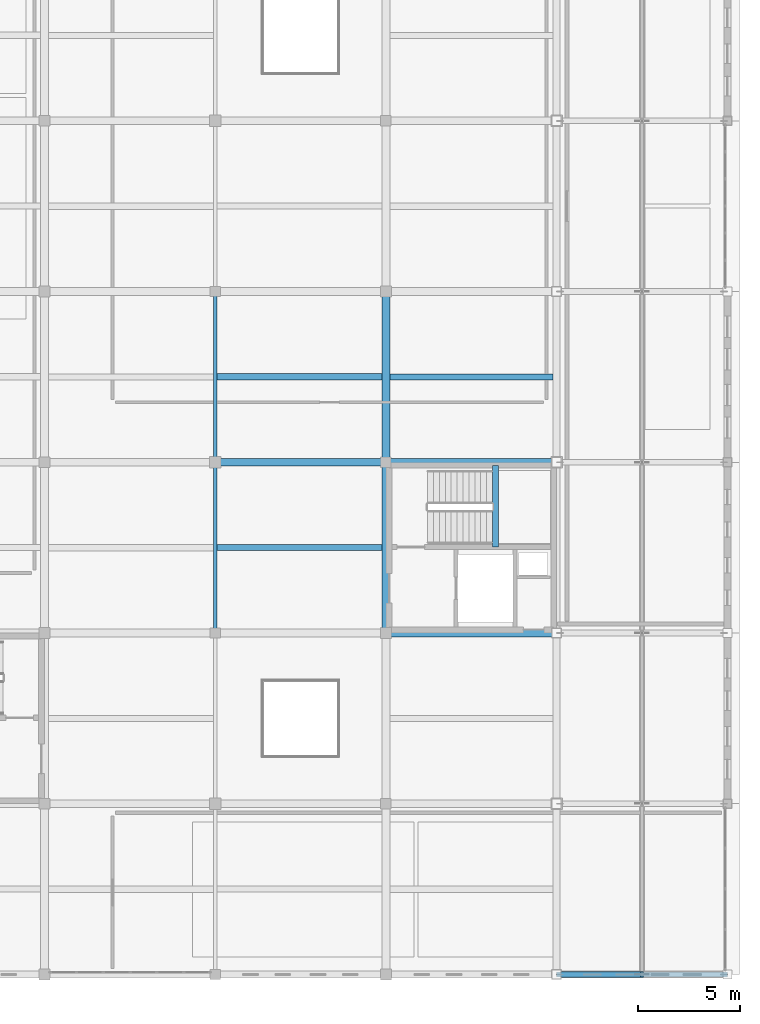
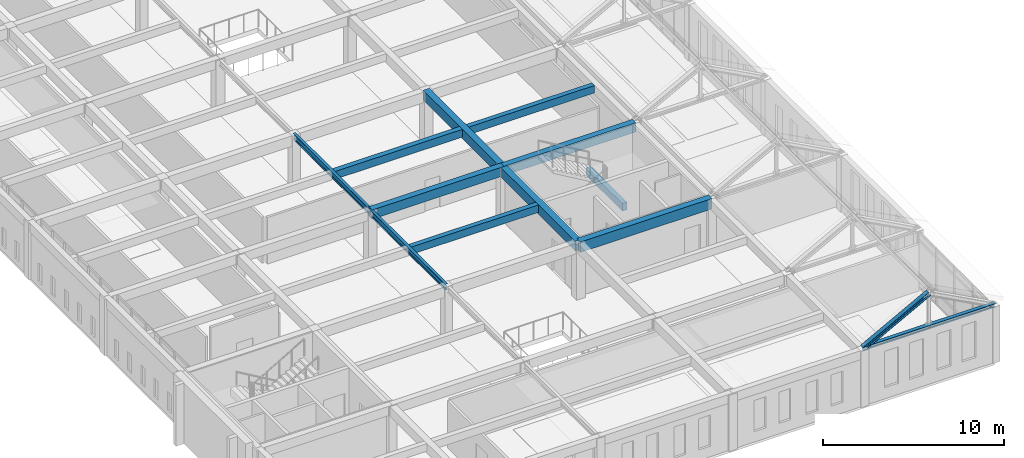
# One storey, part 5 of 36: 11 beams, 2 members.
"""IFC4 building model written with IfcOpenShell, lengths in metres."""

from ifc_helpers import new_model, si_unit, direction, frame, origin, origin_2d, place, context, subcontext, project, spatial, rectangle, i_section, extrude, material, material_profile, profile_set, type_object, element, save


model = new_model("IFC4")

# Units and contexts
model_context = context("Model", 3, precision=1e-05, world=origin(), true_north=direction((0.0, 1.0)))
body_context = subcontext(model_context, "Body", "Model", "MODEL_VIEW")
ifc_project = project(units=[si_unit("LENGTHUNIT", "METRE"), si_unit("AREAUNIT", "SQUARE_METRE"), si_unit("VOLUMEUNIT", "CUBIC_METRE"), si_unit("PLANEANGLEUNIT", "RADIAN"), si_unit("MASSUNIT", "GRAM", prefix="KILO")], contexts=[model_context])

# Site, building, storey
site_placement = place(None, origin())
site = spatial("IfcSite", under=ifc_project, at=site_placement, CompositionType="ELEMENT")
building_placement = place(site_placement, origin())
building = spatial("IfcBuilding", under=site, at=building_placement, Name="Kveldsbrygga Polytechnic", CompositionType="ELEMENT")
storey_placement = place(building_placement, frame((0.0, 0.0, 22.10009765625)))
storey = spatial("IfcBuildingStorey", under=building, at=storey_placement, Name="L05", CompositionType="ELEMENT", Elevation=22.10009765625)

# Beams
ifc_material_1 = material(Name="Concrete C35/45", Category="concrete")
ifc_material_profile_1 = material_profile(ifc_material_1, rectangle(XDim=0.3798828125, YDim=0.6201171875, at=origin_2d()), Name="RC 380x620")
ifc_profile_set_1 = profile_set([ifc_material_profile_1], Name="Concrete C35/45")
beam_type_1 = type_object("IfcBeamType", Name="BM-RC-380x620", PredefinedType="BEAM", material=ifc_profile_set_1)
beam_1_placement = place(storey_placement, frame((142.800048828125, 42.0, 3.469970703125), z_axis=(1.0, 0.0, 0.0), x_axis=(0.0, 1.0, 0.0)))
element("IfcBeam", 1, at=beam_1_placement, inside=storey, type_object=beam_type_1, Name="Primary Beam BMX-L05-17to18-05", PredefinedType="BEAM", context=body_context, shape_type="SweptSolid", body=[
    extrude(rectangle(XDim=0.3798828125, YDim=0.6201171875, at=origin_2d()), origin(), (0.0, 0.0, 1.0), 8.39990234375),
])
beam_2_placement = place(storey_placement, frame((151.199951171875, 42.0, 3.469970703125), z_axis=(1.0, 0.0, 0.0), x_axis=(0.0, 1.0, 0.0)))
element("IfcBeam", 2, at=beam_2_placement, inside=storey, type_object=beam_type_1, Name="Primary Beam BMX-L05-18to19-05", PredefinedType="BEAM", context=body_context, shape_type="SweptSolid", body=[
    extrude(rectangle(XDim=0.3798828125, YDim=0.6201171875, at=origin_2d()), origin(), (0.0, 0.0, 1.0), 8.400146484375),
])
ifc_material_profile_2 = material_profile(ifc_material_1, rectangle(XDim=0.39990234375, YDim=0.64990234375, at=origin_2d()), Name="RC 400x650")
ifc_profile_set_2 = profile_set([ifc_material_profile_2], Name="Concrete C35/45")
beam_type_2 = type_object("IfcBeamType", Name="BM-RC-400x650", PredefinedType="BEAM", material=ifc_profile_set_2)
for number, where, z_axis, x_axis, name in (
    (3, (151.199951171875, 33.60009765625, 3.454833984375), (0.0, 1.0, 0.0), (-1.0, 0.0, 0.0), "Primary Beam BMY-L05-18-04to05"),
    (4, (151.199951171875, 42.0, 3.454833984375), (0.0, 1.0, 0.0), (-1.0, 0.0, 0.0), "Primary Beam BMY-L05-18-05to06"),
):
    element("IfcBeam", number, at=place(storey_placement, frame(where, z_axis=z_axis, x_axis=x_axis)), inside=storey, type_object=beam_type_2, Name=name, PredefinedType="BEAM", context=body_context, shape_type="SweptSolid", body=[
        extrude(rectangle(XDim=0.39990234375, YDim=0.64990234375, at=origin_2d()), origin(), (0.0, 0.0, 1.0), 8.39990234375),
    ])
ifc_material_profile_3 = material_profile(ifc_material_1, rectangle(XDim=0.39990234375, YDim=0.699951171875, at=origin_2d()), Name="RC 400x700")
ifc_profile_set_3 = profile_set([ifc_material_profile_3], Name="Concrete C35/45")
beam_type_3 = type_object("IfcBeamType", Name="BM-RC-400x700", PredefinedType="BEAM", material=ifc_profile_set_3)
beam_3_placement = place(storey_placement, frame((151.199951171875, 33.60009765625, 3.429931640625), z_axis=(1.0, 0.0, 0.0), x_axis=(0.0, 1.0, 0.0)))
element("IfcBeam", 5, at=beam_3_placement, inside=storey, type_object=beam_type_3, Name="Primary Beam BMX-L05-18to19-04", PredefinedType="BEAM", context=body_context, shape_type="SweptSolid", body=[
    extrude(rectangle(XDim=0.39990234375, YDim=0.699951171875, at=origin_2d()), origin(), (0.0, 0.0, 1.0), 8.400146484375),
])
ifc_material_2 = material(Name="Steel S355", Category="steel")
ifc_material_profile_4 = material_profile(ifc_material_2, i_section(OverallWidth=0.179931640625, OverallDepth=0.39990234375, WebThickness=0.008544921875, FlangeThickness=0.013427734375, FilletRadius=0.02099609375, at=origin_2d()), Name="IPE 400")
ifc_profile_set_4 = profile_set([ifc_material_profile_4], Name="Steel S355")
beam_type_4 = type_object("IfcBeamType", Name="BM-STL-IPE400", PredefinedType="BEAM", material=ifc_profile_set_4)
for number, where, z_axis, x_axis, name in (
    (6, (142.800048828125, 33.60009765625, 3.579833984375), (0.0, 1.0, 0.0), (-1.0, 0.0, 0.0), "Primary Beam BMY-L05-17-04to05"),
    (7, (142.800048828125, 42.0, 3.579833984375), (0.0, 1.0, 0.0), (-1.0, 0.0, 0.0), "Primary Beam BMY-L05-17-05to06"),
):
    element("IfcBeam", number, at=place(storey_placement, frame(where, z_axis=z_axis, x_axis=x_axis)), inside=storey, type_object=beam_type_4, Name=name, PredefinedType="BEAM", context=body_context, shape_type="SweptSolid", body=[
        extrude(i_section(OverallWidth=0.179931640625, OverallDepth=0.39990234375, WebThickness=0.008544921875, FlangeThickness=0.013427734375, FilletRadius=0.02099609375, at=origin_2d()), origin(), (0.0, 0.0, 1.0), 8.39990234375),
    ])
ifc_material_profile_5 = material_profile(ifc_material_1, rectangle(XDim=0.300048828125, YDim=0.5, at=origin_2d()), Name="RC 300x500")
ifc_profile_set_5 = profile_set([ifc_material_profile_5], Name="Concrete C35/45")
beam_type_5 = type_object("IfcBeamType", Name="JST-RC-300x500", PredefinedType="JOIST", material=ifc_profile_set_5)
beam_4_placement = place(storey_placement, frame((142.889892578125, 37.800048828125, 3.52978515625), z_axis=(1.0, 0.0, 0.0), x_axis=(0.0, 1.0, 0.0)))
element("IfcBeam", 8, at=beam_4_placement, inside=storey, type_object=beam_type_5, Name="Secondary Joist JST-L05-17-04", PredefinedType="JOIST", context=body_context, shape_type="SweptSolid", body=[
    extrude(rectangle(XDim=0.300048828125, YDim=0.5, at=origin_2d()), origin(), (0.0, 0.0, 1.0), 8.110107421875),
])
beam_5_placement = place(storey_placement, frame((151.39990234375, 46.199951171875, 3.52978515625), z_axis=(1.0, 0.0, 0.0), x_axis=(0.0, 1.0, 0.0)))
element("IfcBeam", 9, at=beam_5_placement, inside=storey, type_object=beam_type_5, Name="Secondary Joist JST-L05-18-05", PredefinedType="JOIST", context=body_context, shape_type="SweptSolid", body=[
    extrude(rectangle(XDim=0.300048828125, YDim=0.5, at=origin_2d()), origin(), (0.0, 0.0, 1.0), 8.025146484375),
])
ifc_material_profile_6 = material_profile(ifc_material_1, rectangle(XDim=0.320068359375, YDim=0.52001953125, at=origin_2d()), Name="RC 320x520")
ifc_profile_set_6 = profile_set([ifc_material_profile_6], Name="Concrete C35/45")
beam_type_6 = type_object("IfcBeamType", Name="JST-RC-320x520", PredefinedType="JOIST", material=ifc_profile_set_6)
beam_6_placement = place(storey_placement, frame((142.889892578125, 46.199951171875, 3.52001953125), z_axis=(1.0, 0.0, 0.0), x_axis=(0.0, 1.0, 0.0)))
element("IfcBeam", 10, at=beam_6_placement, inside=storey, type_object=beam_type_6, Name="Secondary Joist JST-L05-17-05", PredefinedType="JOIST", context=body_context, shape_type="SweptSolid", body=[
    extrude(rectangle(XDim=0.320068359375, YDim=0.52001953125, at=origin_2d()), origin(), (0.0, 0.0, 1.0), 8.110107421875),
])
ifc_material_profile_7 = material_profile(ifc_material_1, rectangle(XDim=0.300048828125, YDim=0.5, at=origin_2d()), Name="RC 300x500")
ifc_profile_set_7 = profile_set([ifc_material_profile_7], Name="Concrete C35/45")
beam_type_7 = type_object("IfcBeamType", Name="LNT-RC-300x500", PredefinedType="LINTEL", material=ifc_profile_set_7)
beam_7_placement = place(storey_placement, frame((156.590087890625, 37.830078125, 1.58984375), z_axis=(0.0, 1.0, 0.0), x_axis=(-1.0, 0.0, 0.0)))
element("IfcBeam", 11, at=beam_7_placement, inside=storey, type_object=beam_type_7, Name="Stair Landing Support Beam C3-L05-LNDB-1-1", PredefinedType="LINTEL", context=body_context, shape_type="SweptSolid", body=[
    extrude(rectangle(XDim=0.300048828125, YDim=0.5, at=origin_2d()), origin(), (0.0, 0.0, 1.0), 4.02001953125),
])

# Members
ifc_material_profile_8 = material_profile(ifc_material_2, i_section(OverallWidth=0.239990234375, OverallDepth=0.239990234375, WebThickness=0.010009765625, FlangeThickness=0.01708984375, FilletRadius=0.02099609375, at=origin_2d()), Name="HEB 240")
ifc_profile_set_8 = profile_set([ifc_material_profile_8], Name="Steel S355")
member_type_1 = type_object("IfcMemberType", Name="TR-BOT-HEB240", PredefinedType="CHORD", material=ifc_profile_set_8)
member_1_placement = place(storey_placement, frame((159.60009765625, 16.800048828125, 3.77978515625), z_axis=(1.0, 0.0, 0.0), x_axis=(0.0, 1.0, 0.0)))
element("IfcMember", 12, at=member_1_placement, inside=storey, type_object=member_type_1, Name="Truss Bottom Chord V4E6-T01-BC-1", PredefinedType="CHORD", context=body_context, shape_type="SweptSolid", body=[
    extrude(i_section(OverallWidth=0.239990234375, OverallDepth=0.239990234375, WebThickness=0.010009765625, FlangeThickness=0.01708984375, FilletRadius=0.02099609375, at=origin_2d()), origin(), (0.0, 0.0, 1.0), 8.39990234375),
])
ifc_material_profile_9 = material_profile(ifc_material_2, i_section(OverallWidth=0.280029296875, OverallDepth=0.280029296875, WebThickness=0.010498046875, FlangeThickness=0.01806640625, FilletRadius=0.02392578125, at=origin_2d()), Name="HEB 280")
ifc_profile_set_9 = profile_set([ifc_material_profile_9], Name="Steel S355")
member_type_2 = type_object("IfcMemberType", Name="TR-TOP-HEB280", PredefinedType="CHORD", material=ifc_profile_set_9)
member_2_placement = place(storey_placement, frame((159.60009765625, 16.800048828125, 3.77978515625), z_axis=(0.881477684796, 0.0, 0.472225678258), x_axis=(0.0, 1.0, 0.0)))
element("IfcMember", 13, at=member_2_placement, inside=storey, type_object=member_type_2, Name="Truss Top Chord V4E6-T01-TC-1", PredefinedType="CHORD", context=body_context, shape_type="SweptSolid", body=[
    extrude(i_section(OverallWidth=0.280029296875, OverallDepth=0.280029296875, WebThickness=0.010498046875, FlangeThickness=0.01806640625, FilletRadius=0.02392578125, at=origin_2d()), origin(), (0.0, 0.0, 1.0), 4.7646484375),
])

save(model, "model.ifc")
